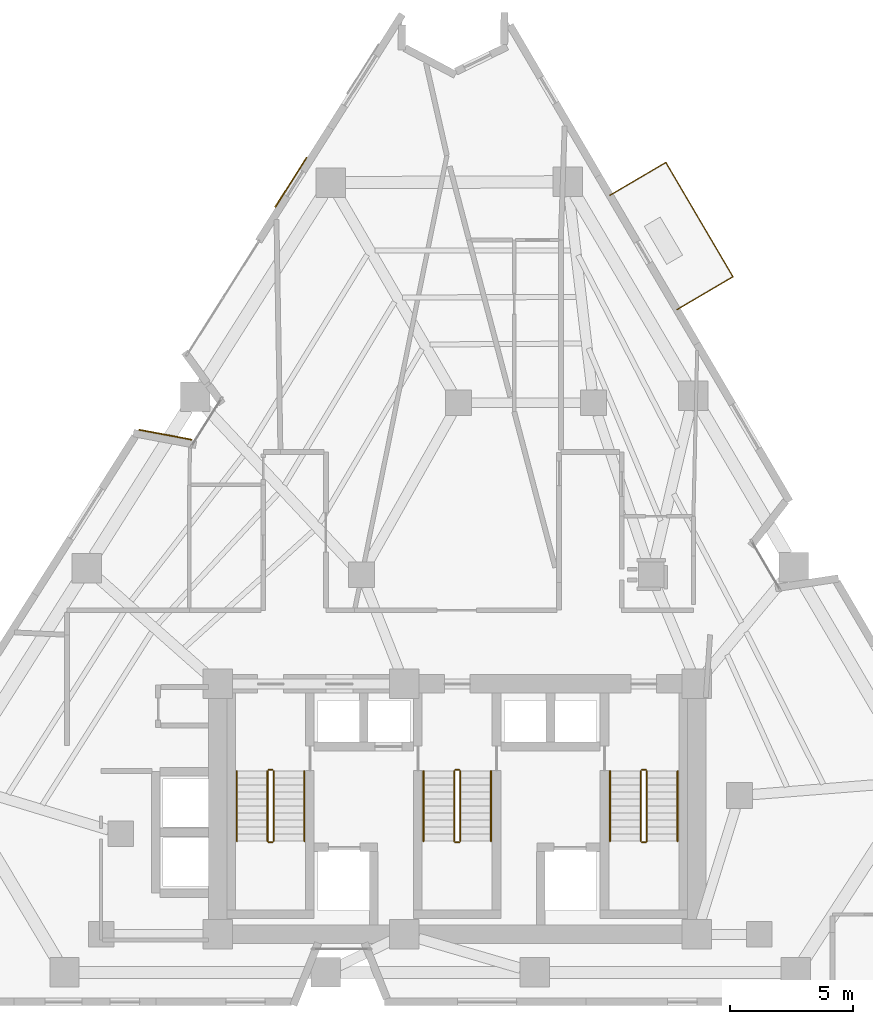
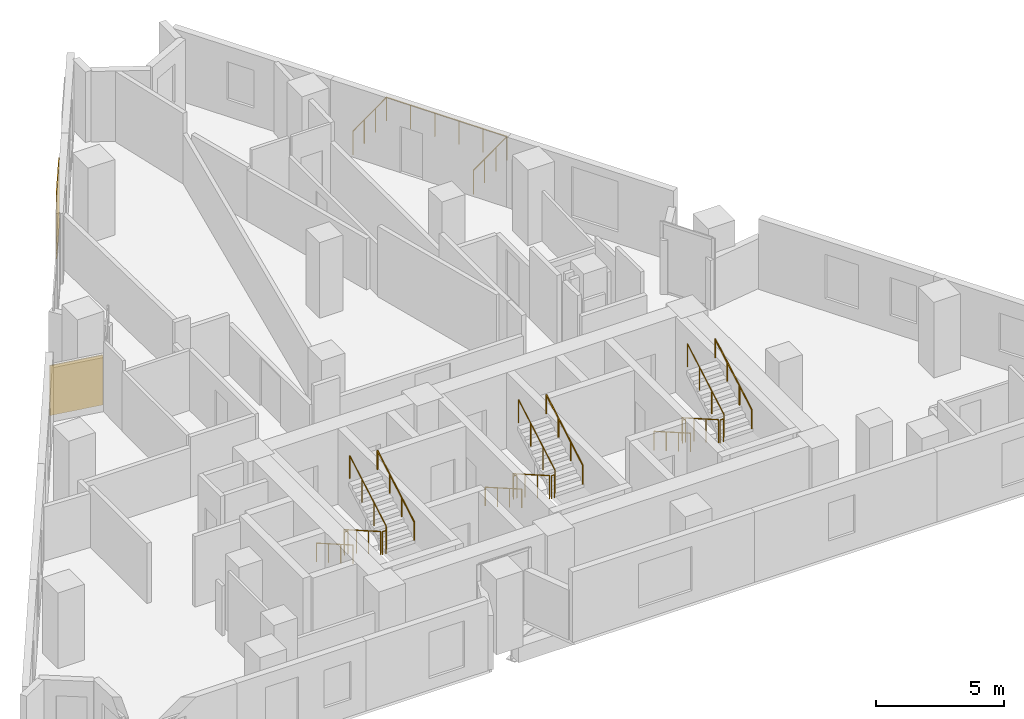
# One storey, part 10 of 11: 19 railings, 2 coverings.
"""IFC4 building model written with IfcOpenShell, lengths in metres."""

from ifc_helpers import new_model, si_unit, direction, frame, origin, origin_2d, place, context, subcontext, project, spatial, rectangle, circle, extrude, material, layer, layer_set, type_object, element, save


model = new_model("IFC4")

# Units and contexts
model_context = context("Model", 3, precision=1e-05, world=origin(), true_north=direction((0.0, 1.0)))
body_context = subcontext(model_context, "Body", "Model", "MODEL_VIEW")
ifc_project = project(units=[si_unit("LENGTHUNIT", "METRE"), si_unit("AREAUNIT", "SQUARE_METRE"), si_unit("VOLUMEUNIT", "CUBIC_METRE"), si_unit("PLANEANGLEUNIT", "RADIAN"), si_unit("MASSUNIT", "GRAM", prefix="KILO")], contexts=[model_context])

# Site, building, storey
site_placement = place(None, origin())
site = spatial("IfcSite", under=ifc_project, at=site_placement, CompositionType="ELEMENT")
building_placement = place(site_placement, origin())
building = spatial("IfcBuilding", under=site, at=building_placement, Name="Almagre Mirador Tower", CompositionType="ELEMENT")
storey_placement = place(building_placement, frame((0.0, 0.0, 124.800048828125)))
storey = spatial("IfcBuildingStorey", under=building, at=storey_placement, Name="L31", CompositionType="ELEMENT", Elevation=124.800048828125)

# Coverings
ifc_material_1 = material(Name="Almagre terracotta architectural cladding", Category="masonry")
ifc_layer = layer(ifc_material_1, 0.044921875)
ifc_layer_set = layer_set([ifc_layer], Name="Almagre terracotta architectural cladding")
covering_type = type_object("IfcCoveringType", Name="COV-CLAD-ALMAGRE", PredefinedType="CLADDING", material=ifc_layer_set)
covering_1_placement = place(storey_placement, frame((25.41796875, 24.8974609375, 0.099853515625), z_axis=(0.0, 0.0, 1.0), x_axis=(0.982745405197, -0.184963424938, 0.0)))
element("IfcCovering", 1, at=covering_1_placement, inside=storey, type_object=covering_type, Name="L31 almagre terracotta pier cladding", PredefinedType="CLADDING", context=body_context, shape_type="SweptSolid", body=[
    extrude(rectangle(XDim=2.194091796875, YDim=0.044921875, at=origin_2d()), origin(), (0.0, 0.0, 1.0), 2.375),
])
covering_2_placement = place(storey_placement, frame((30.52587890625, 35.1787109375, 0.10009765625), z_axis=(0.0, 0.0, 1.0), x_axis=(0.534912830704, 0.844907251447, 0.0)))
element("IfcCovering", 2, at=covering_2_placement, inside=storey, type_object=covering_type, Name="L31 almagre terracotta pier cladding", PredefinedType="CLADDING", context=body_context, shape_type="SweptSolid", body=[
    extrude(rectangle(XDim=2.39990234375, YDim=0.044921875, at=origin_2d()), origin(), (0.0, 0.0, 1.0), 3.14990234375),
])

# Railings
ifc_material_2 = material(Name="Black anodized aluminium", Category="aluminium")
railing_type_1 = type_object("IfcRailingType", Name="RLG-BAL-1150", PredefinedType="BALUSTRADE", material=ifc_material_2)
railing_1_placement = place(storey_placement, frame((46.2470703125, 29.991943359375, 0.0)))
element("IfcRailing", 3, at=railing_1_placement, inside=storey, type_object=railing_type_1, Name="L31 east balcony balustrade 2", PredefinedType="BALUSTRADE", context=body_context, shape_type="SweptSolid", body=[
    extrude(circle(Radius=0.02392578125, at=origin_2d()), frame((0.0, 0.0, 1.1259765625), z_axis=(0.8624289015, 0.506178219462, 0.0), x_axis=(-0.506178219462, 0.8624289015, 0.0)), (0.0, 0.0, 1.0), 2.6494140625),
    extrude(circle(Radius=0.02392578125, at=origin_2d()), frame((2.284912109375, 1.341064453125, 1.1259765625), z_axis=(-0.50626123945, 0.862380169897, 0.0), x_axis=(-0.862380169897, -0.50626123945, 0.0)), (0.0, 0.0, 1.0), 5.400146484375),
    extrude(circle(Radius=0.02392578125, at=origin_2d()), frame((-0.448974609375, 5.998046875, 1.1259765625), z_axis=(-0.862291607475, -0.506412069048, 0.0), x_axis=(0.506412069048, -0.862291607475, 0.0)), (0.0, 0.0, 1.0), 2.650146484375),
    extrude(circle(Radius=0.02099609375, at=origin_2d()), origin(), (0.0, 0.0, 1.0), 1.101806640625),
    extrude(circle(Radius=0.02099609375, at=origin_2d()), frame((0.76171875, 0.447021484375, 0.0)), (0.0, 0.0, 1.0), 1.101806640625),
    extrude(circle(Radius=0.02099609375, at=origin_2d()), frame((1.523193359375, 0.89404296875, 0.0)), (0.0, 0.0, 1.0), 1.101806640625),
    extrude(circle(Radius=0.02099609375, at=origin_2d()), frame((2.284912109375, 1.341064453125, 0.0)), (0.0, 0.0, 1.0), 1.101806640625),
    extrude(circle(Radius=0.02099609375, at=origin_2d()), frame((1.738037109375, 2.2724609375, 0.0)), (0.0, 0.0, 1.0), 1.101806640625),
    extrude(circle(Radius=0.02099609375, at=origin_2d()), frame((1.19140625, 3.203857421875, 0.0)), (0.0, 0.0, 1.0), 1.101806640625),
    extrude(circle(Radius=0.02099609375, at=origin_2d()), frame((0.64453125, 4.13525390625, 0.0)), (0.0, 0.0, 1.0), 1.101806640625),
    extrude(circle(Radius=0.02099609375, at=origin_2d()), frame((0.097900390625, 5.066650390625, 0.0)), (0.0, 0.0, 1.0), 1.101806640625),
    extrude(circle(Radius=0.02099609375, at=origin_2d()), frame((-0.448974609375, 5.998046875, 0.0)), (0.0, 0.0, 1.0), 1.101806640625),
    extrude(circle(Radius=0.02099609375, at=origin_2d()), frame((-1.210693359375, 5.55078125, 0.0)), (0.0, 0.0, 1.0), 1.101806640625),
    extrude(circle(Radius=0.02099609375, at=origin_2d()), frame((-1.972412109375, 5.103271484375, 0.0)), (0.0, 0.0, 1.0), 1.101806640625),
    extrude(circle(Radius=0.02099609375, at=origin_2d()), frame((-2.734130859375, 4.656005859375, 0.0)), (0.0, 0.0, 1.0), 1.101806640625),
])
ifc_material_3 = material(Name="Painted galvanized steel", Category="steel")
railing_type_2 = type_object("IfcRailingType", Name="RLG-GRD-1100", PredefinedType="GUARDRAIL", material=ifc_material_3)
railing_2_placement = place(storey_placement, frame((29.574951171875, 11.199951171875, 0.16357421875)))
element("IfcRailing", 4, at=railing_2_placement, inside=storey, type_object=railing_type_2, Name="L31 ST-1 stair guard 1", PredefinedType="GUARDRAIL", context=body_context, shape_type="SweptSolid", body=[
    extrude(circle(Radius=0.02392578125, at=origin_2d()), frame((0.0, 0.0, 1.09619140625), z_axis=(0.0, -0.867194282975, 0.497969954491), x_axis=(1.0, 0.0, 0.0)), (0.0, 0.0, 1.0), 3.286376953125),
    extrude(circle(Radius=0.02099609375, at=origin_2d()), origin(), (0.0, 0.0, 1.0), 1.072021484375),
    extrude(circle(Radius=0.02099609375, at=origin_2d()), frame((0.0, -0.949951171875, 0.54541015625)), (0.0, 0.0, 1.0), 1.072021484375),
    extrude(circle(Radius=0.02099609375, at=origin_2d()), frame((0.0, -1.89990234375, 1.091064453125)), (0.0, 0.0, 1.0), 1.072021484375),
    extrude(circle(Radius=0.02099609375, at=origin_2d()), frame((0.0, -2.849853515625, 1.636474609375)), (0.0, 0.0, 1.0), 1.072021484375),
])
railing_3_placement = place(storey_placement, frame((29.625, 8.300048828125, 1.800048828125)))
element("IfcRailing", 5, at=railing_3_placement, inside=storey, type_object=railing_type_2, Name="L31 ST-1 stair guard 2", PredefinedType="GUARDRAIL", context=body_context, shape_type="SweptSolid", body=[
    extrude(circle(Radius=0.02392578125, at=origin_2d()), frame((0.0, 0.0, 1.09619140625), z_axis=(1.0, 0.0, 0.0), x_axis=(0.0, 1.0, 0.0)), (0.0, 0.0, 1.0), 0.14990234375),
    extrude(circle(Radius=0.02099609375, at=origin_2d()), origin(), (0.0, 0.0, 1.0), 1.072021484375),
    extrude(circle(Radius=0.02099609375, at=origin_2d()), frame((0.14990234375, 0.0, 0.0)), (0.0, 0.0, 1.0), 1.072021484375),
])
railing_4_placement = place(storey_placement, frame((29.824951171875, 8.35009765625, 1.963623046875)))
element("IfcRailing", 6, at=railing_4_placement, inside=storey, type_object=railing_type_2, Name="L31 ST-1 stair guard 3", PredefinedType="GUARDRAIL", context=body_context, shape_type="SweptSolid", body=[
    extrude(circle(Radius=0.02392578125, at=origin_2d()), frame((0.0, 0.0, 1.09619140625), z_axis=(0.0, 0.867226363773, 0.497914082927), x_axis=(-1.0, 0.0, 0.0)), (0.0, 0.0, 1.0), 3.2861328125),
    extrude(circle(Radius=0.02099609375, at=origin_2d()), origin(), (0.0, 0.0, 1.0), 1.072021484375),
    extrude(circle(Radius=0.02099609375, at=origin_2d()), frame((0.0, 0.949951171875, 0.54541015625)), (0.0, 0.0, 1.0), 1.072021484375),
    extrude(circle(Radius=0.02099609375, at=origin_2d()), frame((0.0, 1.89990234375, 1.0908203125)), (0.0, 0.0, 1.0), 1.072021484375),
    extrude(circle(Radius=0.02099609375, at=origin_2d()), frame((0.0, 2.849853515625, 1.63623046875)), (0.0, 0.0, 1.0), 1.072021484375),
])
railing_5_placement = place(storey_placement, frame((29.625, 11.25, 0.0)))
element("IfcRailing", 7, at=railing_5_placement, inside=storey, type_object=railing_type_2, Name="L31 ST-1 stair guard 4", PredefinedType="GUARDRAIL", context=body_context, shape_type="SweptSolid", body=[
    extrude(circle(Radius=0.02392578125, at=origin_2d()), frame((0.0, 0.0, 1.09619140625), z_axis=(1.0, 0.0, 0.0), x_axis=(0.0, 1.0, 0.0)), (0.0, 0.0, 1.0), 0.14990234375),
    extrude(circle(Radius=0.02099609375, at=origin_2d()), origin(), (0.0, 0.0, 1.0), 1.072021484375),
    extrude(circle(Radius=0.02099609375, at=origin_2d()), frame((0.14990234375, 0.0, 0.0)), (0.0, 0.0, 1.0), 1.072021484375),
])
railing_6_placement = place(storey_placement, frame((37.175048828125, 11.199951171875, 0.16357421875)))
element("IfcRailing", 8, at=railing_6_placement, inside=storey, type_object=railing_type_2, Name="L31 ST-2 stair guard 1", PredefinedType="GUARDRAIL", context=body_context, shape_type="SweptSolid", body=[
    extrude(circle(Radius=0.02392578125, at=origin_2d()), frame((0.0, 0.0, 1.09619140625), z_axis=(0.0, -0.867194282975, 0.497969954491), x_axis=(1.0, 0.0, 0.0)), (0.0, 0.0, 1.0), 3.286376953125),
    extrude(circle(Radius=0.02099609375, at=origin_2d()), origin(), (0.0, 0.0, 1.0), 1.072021484375),
    extrude(circle(Radius=0.02099609375, at=origin_2d()), frame((0.0, -0.949951171875, 0.54541015625)), (0.0, 0.0, 1.0), 1.072021484375),
    extrude(circle(Radius=0.02099609375, at=origin_2d()), frame((0.0, -1.89990234375, 1.091064453125)), (0.0, 0.0, 1.0), 1.072021484375),
    extrude(circle(Radius=0.02099609375, at=origin_2d()), frame((0.0, -2.849853515625, 1.636474609375)), (0.0, 0.0, 1.0), 1.072021484375),
])
railing_7_placement = place(storey_placement, frame((37.22509765625, 8.300048828125, 1.800048828125)))
element("IfcRailing", 9, at=railing_7_placement, inside=storey, type_object=railing_type_2, Name="L31 ST-2 stair guard 2", PredefinedType="GUARDRAIL", context=body_context, shape_type="SweptSolid", body=[
    extrude(circle(Radius=0.02392578125, at=origin_2d()), frame((0.0, 0.0, 1.09619140625), z_axis=(1.0, 0.0, 0.0), x_axis=(0.0, 1.0, 0.0)), (0.0, 0.0, 1.0), 0.14990234375),
    extrude(circle(Radius=0.02099609375, at=origin_2d()), origin(), (0.0, 0.0, 1.0), 1.072021484375),
    extrude(circle(Radius=0.02099609375, at=origin_2d()), frame((0.14990234375, 0.0, 0.0)), (0.0, 0.0, 1.0), 1.072021484375),
])
railing_8_placement = place(storey_placement, frame((37.425048828125, 8.35009765625, 1.963623046875)))
element("IfcRailing", 10, at=railing_8_placement, inside=storey, type_object=railing_type_2, Name="L31 ST-2 stair guard 3", PredefinedType="GUARDRAIL", context=body_context, shape_type="SweptSolid", body=[
    extrude(circle(Radius=0.02392578125, at=origin_2d()), frame((0.0, 0.0, 1.09619140625), z_axis=(0.0, 0.867226363773, 0.497914082927), x_axis=(-1.0, 0.0, 0.0)), (0.0, 0.0, 1.0), 3.2861328125),
    extrude(circle(Radius=0.02099609375, at=origin_2d()), origin(), (0.0, 0.0, 1.0), 1.072021484375),
    extrude(circle(Radius=0.02099609375, at=origin_2d()), frame((0.0, 0.949951171875, 0.54541015625)), (0.0, 0.0, 1.0), 1.072021484375),
    extrude(circle(Radius=0.02099609375, at=origin_2d()), frame((0.0, 1.89990234375, 1.0908203125)), (0.0, 0.0, 1.0), 1.072021484375),
    extrude(circle(Radius=0.02099609375, at=origin_2d()), frame((0.0, 2.849853515625, 1.63623046875)), (0.0, 0.0, 1.0), 1.072021484375),
])
railing_9_placement = place(storey_placement, frame((37.22509765625, 11.25, 0.0)))
element("IfcRailing", 11, at=railing_9_placement, inside=storey, type_object=railing_type_2, Name="L31 ST-2 stair guard 4", PredefinedType="GUARDRAIL", context=body_context, shape_type="SweptSolid", body=[
    extrude(circle(Radius=0.02392578125, at=origin_2d()), frame((0.0, 0.0, 1.09619140625), z_axis=(1.0, 0.0, 0.0), x_axis=(0.0, 1.0, 0.0)), (0.0, 0.0, 1.0), 0.14990234375),
    extrude(circle(Radius=0.02099609375, at=origin_2d()), origin(), (0.0, 0.0, 1.0), 1.072021484375),
    extrude(circle(Radius=0.02099609375, at=origin_2d()), frame((0.14990234375, 0.0, 0.0)), (0.0, 0.0, 1.0), 1.072021484375),
])
railing_10_placement = place(storey_placement, frame((44.77490234375, 11.199951171875, 0.16357421875)))
element("IfcRailing", 12, at=railing_10_placement, inside=storey, type_object=railing_type_2, Name="L31 ST-3 stair guard 1", PredefinedType="GUARDRAIL", context=body_context, shape_type="SweptSolid", body=[
    extrude(circle(Radius=0.02392578125, at=origin_2d()), frame((0.0, 0.0, 1.09619140625), z_axis=(0.0, -0.867194282975, 0.497969954491), x_axis=(1.0, 0.0, 0.0)), (0.0, 0.0, 1.0), 3.286376953125),
    extrude(circle(Radius=0.02099609375, at=origin_2d()), origin(), (0.0, 0.0, 1.0), 1.072021484375),
    extrude(circle(Radius=0.02099609375, at=origin_2d()), frame((0.0, -0.949951171875, 0.54541015625)), (0.0, 0.0, 1.0), 1.072021484375),
    extrude(circle(Radius=0.02099609375, at=origin_2d()), frame((0.0, -1.89990234375, 1.091064453125)), (0.0, 0.0, 1.0), 1.072021484375),
    extrude(circle(Radius=0.02099609375, at=origin_2d()), frame((0.0, -2.849853515625, 1.636474609375)), (0.0, 0.0, 1.0), 1.072021484375),
])
railing_11_placement = place(storey_placement, frame((44.824951171875, 8.300048828125, 1.800048828125)))
element("IfcRailing", 13, at=railing_11_placement, inside=storey, type_object=railing_type_2, Name="L31 ST-3 stair guard 2", PredefinedType="GUARDRAIL", context=body_context, shape_type="SweptSolid", body=[
    extrude(circle(Radius=0.02392578125, at=origin_2d()), frame((0.0, 0.0, 1.09619140625), z_axis=(1.0, 0.0, 0.0), x_axis=(0.0, 1.0, 0.0)), (0.0, 0.0, 1.0), 0.150146484375),
    extrude(circle(Radius=0.02099609375, at=origin_2d()), origin(), (0.0, 0.0, 1.0), 1.072021484375),
    extrude(circle(Radius=0.02099609375, at=origin_2d()), frame((0.150146484375, 0.0, 0.0)), (0.0, 0.0, 1.0), 1.072021484375),
])
railing_12_placement = place(storey_placement, frame((45.02490234375, 8.35009765625, 1.963623046875)))
element("IfcRailing", 14, at=railing_12_placement, inside=storey, type_object=railing_type_2, Name="L31 ST-3 stair guard 3", PredefinedType="GUARDRAIL", context=body_context, shape_type="SweptSolid", body=[
    extrude(circle(Radius=0.02392578125, at=origin_2d()), frame((0.0, 0.0, 1.09619140625), z_axis=(0.0, 0.867226363773, 0.497914082927), x_axis=(-1.0, 0.0, 0.0)), (0.0, 0.0, 1.0), 3.2861328125),
    extrude(circle(Radius=0.02099609375, at=origin_2d()), origin(), (0.0, 0.0, 1.0), 1.072021484375),
    extrude(circle(Radius=0.02099609375, at=origin_2d()), frame((0.0, 0.949951171875, 0.54541015625)), (0.0, 0.0, 1.0), 1.072021484375),
    extrude(circle(Radius=0.02099609375, at=origin_2d()), frame((0.0, 1.89990234375, 1.0908203125)), (0.0, 0.0, 1.0), 1.072021484375),
    extrude(circle(Radius=0.02099609375, at=origin_2d()), frame((0.0, 2.849853515625, 1.63623046875)), (0.0, 0.0, 1.0), 1.072021484375),
])
railing_13_placement = place(storey_placement, frame((44.824951171875, 11.25, 0.0)))
element("IfcRailing", 15, at=railing_13_placement, inside=storey, type_object=railing_type_2, Name="L31 ST-3 stair guard 4", PredefinedType="GUARDRAIL", context=body_context, shape_type="SweptSolid", body=[
    extrude(circle(Radius=0.02392578125, at=origin_2d()), frame((0.0, 0.0, 1.09619140625), z_axis=(1.0, 0.0, 0.0), x_axis=(0.0, 1.0, 0.0)), (0.0, 0.0, 1.0), 0.150146484375),
    extrude(circle(Radius=0.02099609375, at=origin_2d()), origin(), (0.0, 0.0, 1.0), 1.072021484375),
    extrude(circle(Radius=0.02099609375, at=origin_2d()), frame((0.150146484375, 0.0, 0.0)), (0.0, 0.0, 1.0), 1.072021484375),
])
ifc_material_4 = material(Name="Brushed stainless steel", Category="steel")
railing_type_3 = type_object("IfcRailingType", Name="RLG-HND-915", PredefinedType="HANDRAIL", material=ifc_material_4)
railing_14_placement = place(storey_placement, frame((28.324951171875, 11.199951171875, 0.16357421875)))
element("IfcRailing", 16, at=railing_14_placement, inside=storey, type_object=railing_type_3, Name="L31 ST-1 stair handrail 1", PredefinedType="HANDRAIL", context=body_context, shape_type="SweptSolid", body=[
    extrude(circle(Radius=0.02392578125, at=origin_2d()), frame((0.0, 0.0, 0.89111328125), z_axis=(0.0, -0.867194282975, 0.497969954491), x_axis=(1.0, 0.0, 0.0)), (0.0, 0.0, 1.0), 3.286376953125),
    extrude(circle(Radius=0.02099609375, at=origin_2d()), origin(), (0.0, 0.0, 1.0), 0.866943359375),
    extrude(circle(Radius=0.02099609375, at=origin_2d()), frame((0.0, -0.949951171875, 0.54541015625)), (0.0, 0.0, 1.0), 0.866943359375),
    extrude(circle(Radius=0.02099609375, at=origin_2d()), frame((0.0, -1.89990234375, 1.091064453125)), (0.0, 0.0, 1.0), 0.866943359375),
    extrude(circle(Radius=0.02099609375, at=origin_2d()), frame((0.0, -2.849853515625, 1.636474609375)), (0.0, 0.0, 1.0), 0.866943359375),
])
railing_15_placement = place(storey_placement, frame((31.074951171875, 8.35009765625, 1.963623046875)))
element("IfcRailing", 17, at=railing_15_placement, inside=storey, type_object=railing_type_3, Name="L31 ST-1 stair handrail 2", PredefinedType="HANDRAIL", context=body_context, shape_type="SweptSolid", body=[
    extrude(circle(Radius=0.02392578125, at=origin_2d()), frame((0.0, 0.0, 0.89111328125), z_axis=(0.0, 0.867226363773, 0.497914082927), x_axis=(-1.0, 0.0, 0.0)), (0.0, 0.0, 1.0), 3.2861328125),
    extrude(circle(Radius=0.02099609375, at=origin_2d()), origin(), (0.0, 0.0, 1.0), 0.866943359375),
    extrude(circle(Radius=0.02099609375, at=origin_2d()), frame((0.0, 0.949951171875, 0.54541015625)), (0.0, 0.0, 1.0), 0.866943359375),
    extrude(circle(Radius=0.02099609375, at=origin_2d()), frame((0.0, 1.89990234375, 1.0908203125)), (0.0, 0.0, 1.0), 0.866943359375),
    extrude(circle(Radius=0.02099609375, at=origin_2d()), frame((0.0, 2.849853515625, 1.63623046875)), (0.0, 0.0, 1.0), 0.866943359375),
])
railing_16_placement = place(storey_placement, frame((35.925048828125, 11.199951171875, 0.16357421875)))
element("IfcRailing", 18, at=railing_16_placement, inside=storey, type_object=railing_type_3, Name="L31 ST-2 stair handrail 1", PredefinedType="HANDRAIL", context=body_context, shape_type="SweptSolid", body=[
    extrude(circle(Radius=0.02392578125, at=origin_2d()), frame((0.0, 0.0, 0.89111328125), z_axis=(0.0, -0.867194282975, 0.497969954491), x_axis=(1.0, 0.0, 0.0)), (0.0, 0.0, 1.0), 3.286376953125),
    extrude(circle(Radius=0.02099609375, at=origin_2d()), origin(), (0.0, 0.0, 1.0), 0.866943359375),
    extrude(circle(Radius=0.02099609375, at=origin_2d()), frame((0.0, -0.949951171875, 0.54541015625)), (0.0, 0.0, 1.0), 0.866943359375),
    extrude(circle(Radius=0.02099609375, at=origin_2d()), frame((0.0, -1.89990234375, 1.091064453125)), (0.0, 0.0, 1.0), 0.866943359375),
    extrude(circle(Radius=0.02099609375, at=origin_2d()), frame((0.0, -2.849853515625, 1.636474609375)), (0.0, 0.0, 1.0), 0.866943359375),
])
railing_17_placement = place(storey_placement, frame((38.675048828125, 8.35009765625, 1.963623046875)))
element("IfcRailing", 19, at=railing_17_placement, inside=storey, type_object=railing_type_3, Name="L31 ST-2 stair handrail 2", PredefinedType="HANDRAIL", context=body_context, shape_type="SweptSolid", body=[
    extrude(circle(Radius=0.02392578125, at=origin_2d()), frame((0.0, 0.0, 0.89111328125), z_axis=(0.0, 0.867226363773, 0.497914082927), x_axis=(-1.0, 0.0, 0.0)), (0.0, 0.0, 1.0), 3.2861328125),
    extrude(circle(Radius=0.02099609375, at=origin_2d()), origin(), (0.0, 0.0, 1.0), 0.866943359375),
    extrude(circle(Radius=0.02099609375, at=origin_2d()), frame((0.0, 0.949951171875, 0.54541015625)), (0.0, 0.0, 1.0), 0.866943359375),
    extrude(circle(Radius=0.02099609375, at=origin_2d()), frame((0.0, 1.89990234375, 1.0908203125)), (0.0, 0.0, 1.0), 0.866943359375),
    extrude(circle(Radius=0.02099609375, at=origin_2d()), frame((0.0, 2.849853515625, 1.63623046875)), (0.0, 0.0, 1.0), 0.866943359375),
])
railing_18_placement = place(storey_placement, frame((43.52490234375, 11.199951171875, 0.16357421875)))
element("IfcRailing", 20, at=railing_18_placement, inside=storey, type_object=railing_type_3, Name="L31 ST-3 stair handrail 1", PredefinedType="HANDRAIL", context=body_context, shape_type="SweptSolid", body=[
    extrude(circle(Radius=0.02392578125, at=origin_2d()), frame((0.0, 0.0, 0.89111328125), z_axis=(0.0, -0.867194282975, 0.497969954491), x_axis=(1.0, 0.0, 0.0)), (0.0, 0.0, 1.0), 3.286376953125),
    extrude(circle(Radius=0.02099609375, at=origin_2d()), origin(), (0.0, 0.0, 1.0), 0.866943359375),
    extrude(circle(Radius=0.02099609375, at=origin_2d()), frame((0.0, -0.949951171875, 0.54541015625)), (0.0, 0.0, 1.0), 0.866943359375),
    extrude(circle(Radius=0.02099609375, at=origin_2d()), frame((0.0, -1.89990234375, 1.091064453125)), (0.0, 0.0, 1.0), 0.866943359375),
    extrude(circle(Radius=0.02099609375, at=origin_2d()), frame((0.0, -2.849853515625, 1.636474609375)), (0.0, 0.0, 1.0), 0.866943359375),
])
railing_19_placement = place(storey_placement, frame((46.27490234375, 8.35009765625, 1.963623046875)))
element("IfcRailing", 21, at=railing_19_placement, inside=storey, type_object=railing_type_3, Name="L31 ST-3 stair handrail 2", PredefinedType="HANDRAIL", context=body_context, shape_type="SweptSolid", body=[
    extrude(circle(Radius=0.02392578125, at=origin_2d()), frame((0.0, 0.0, 0.89111328125), z_axis=(0.0, 0.867226363773, 0.497914082927), x_axis=(-1.0, 0.0, 0.0)), (0.0, 0.0, 1.0), 3.2861328125),
    extrude(circle(Radius=0.02099609375, at=origin_2d()), origin(), (0.0, 0.0, 1.0), 0.866943359375),
    extrude(circle(Radius=0.02099609375, at=origin_2d()), frame((0.0, 0.949951171875, 0.54541015625)), (0.0, 0.0, 1.0), 0.866943359375),
    extrude(circle(Radius=0.02099609375, at=origin_2d()), frame((0.0, 1.89990234375, 1.0908203125)), (0.0, 0.0, 1.0), 0.866943359375),
    extrude(circle(Radius=0.02099609375, at=origin_2d()), frame((0.0, 2.849853515625, 1.63623046875)), (0.0, 0.0, 1.0), 0.866943359375),
])

save(model, "model.ifc")
